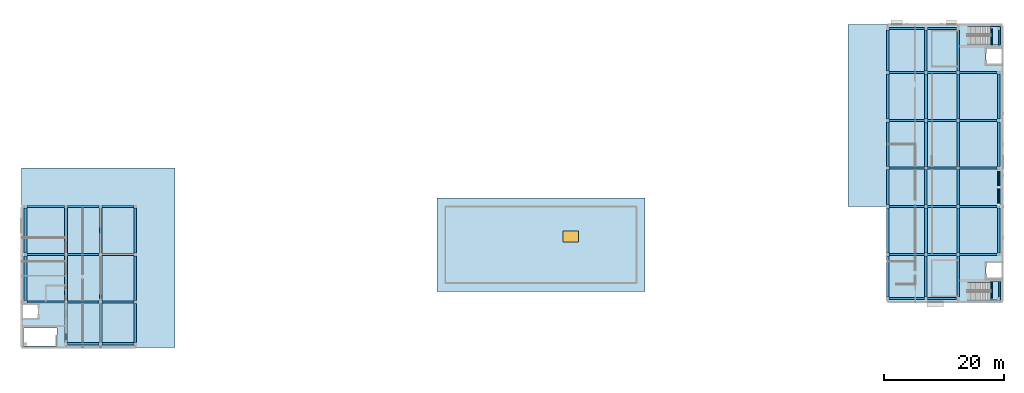
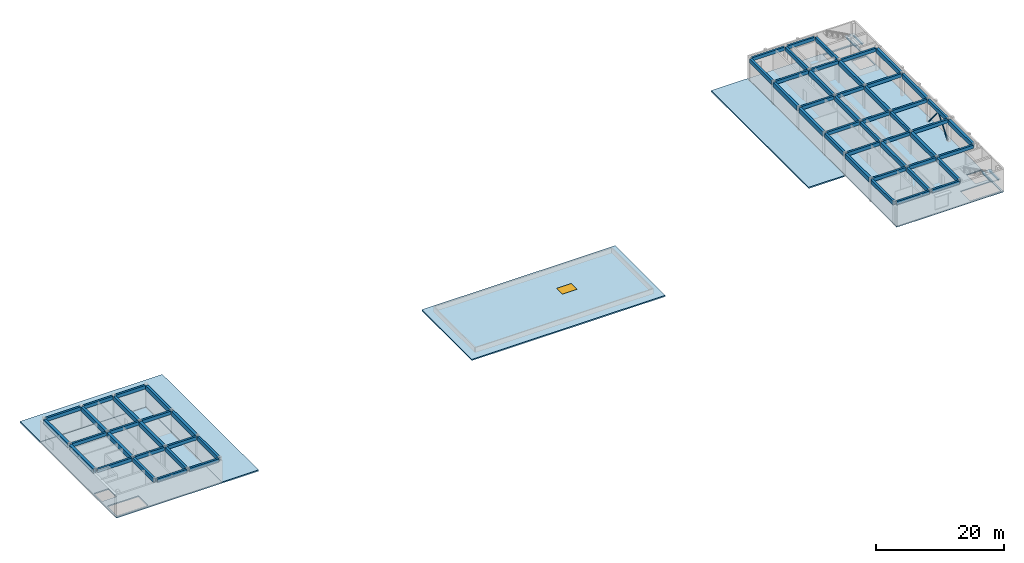
# One storey, part 3 of 11: 67 beams, 7 slabs, 2 members, 1 window, 1 opening, 2 elements without a shape of their own.
"""IFC4 building model written with IfcOpenShell, lengths in metres."""

from ifc_helpers import new_model, si_unit, direction, frame, origin, origin_2d, place, context, subcontext, project, spatial, polyline, rectangle, hollow_circle, i_section, outline, extrude, material, layer, layer_set, material_profile, profile_set, type_object, element, fill, aggregate, save


model = new_model("IFC4")

# Units and contexts
model_context = context("Model", 3, precision=1e-05, world=origin(), true_north=direction((0.0, 1.0)))
body_context = subcontext(model_context, "Body", "Model", "MODEL_VIEW")
ifc_project = project(units=[si_unit("LENGTHUNIT", "METRE"), si_unit("AREAUNIT", "SQUARE_METRE"), si_unit("VOLUMEUNIT", "CUBIC_METRE"), si_unit("PLANEANGLEUNIT", "RADIAN"), si_unit("MASSUNIT", "GRAM", prefix="KILO")], contexts=[model_context])

# Site, building, storey
site_placement = place(None, origin())
site = spatial("IfcSite", under=ifc_project, at=site_placement, CompositionType="ELEMENT")
building_placement = place(site_placement, origin())
building = spatial("IfcBuilding", under=site, at=building_placement, Name="Cinchona Park Media Centre", CompositionType="ELEMENT")
storey_placement = place(building_placement, frame((0.0, 0.0, 24.89990234375)))
storey = spatial("IfcBuildingStorey", under=building, at=storey_placement, Name="L05", CompositionType="ELEMENT", Elevation=24.89990234375)

# Beams
ifc_material_1 = material(Name="Concrete C35/45", Category="concrete")
ifc_material_profile_1 = material_profile(ifc_material_1, rectangle(XDim=0.39990234375, YDim=0.75, at=origin_2d()), Name="RB 400X750")
ifc_profile_set_1 = profile_set([ifc_material_profile_1], Name="Concrete C35/45")
beam_type_1 = type_object("IfcBeamType", Name="BEAM-B01-RB400X750", PredefinedType="BEAM", material=ifc_profile_set_1)
for number, where, z_axis, x_axis, name in (
    (1, (15.39990234375, 64.889892578125, 3.880126953125), (0.0, 1.0, 0.0), (-1.0, 0.0, 0.0), "Girder B01 L05"),
    (2, (21.199951171875, 64.889892578125, 3.880126953125), (0.0, 1.0, 0.0), (-1.0, 0.0, 0.0), "Girder B01 L05"),
    (3, (27.0, 64.889892578125, 3.880126953125), (0.0, 1.0, 0.0), (-1.0, 0.0, 0.0), "Girder B01 L05"),
):
    element("IfcBeam", number, at=place(storey_placement, frame(where, z_axis=z_axis, x_axis=x_axis)), inside=storey, type_object=beam_type_1, Name=name, PredefinedType="BEAM", context=body_context, shape_type="SweptSolid", body=[
        extrude(rectangle(XDim=0.39990234375, YDim=0.75, at=origin_2d()), origin(), (0.0, 0.0, 1.0), 6.460205078125),
    ])
beam_1_placement = place(storey_placement, frame((152.800048828125, 72.489990234375, 3.925048828125), z_axis=(0.0, 1.0, 0.0), x_axis=(-1.0, 0.0, 0.0)))
element("IfcBeam", 4, at=beam_1_placement, inside=storey, type_object=beam_type_1, Name="Girder B01 L05", PredefinedType="BEAM", context=body_context, shape_type="SweptSolid", body=[
    extrude(rectangle(XDim=0.39990234375, YDim=0.75, at=origin_2d()), origin(), (0.0, 0.0, 1.0), 6.860107421875),
])
beam_2_placement = place(storey_placement, frame((152.800048828125, 87.85009765625, 3.925048828125), z_axis=(0.0, 1.0, 0.0), x_axis=(-1.0, 0.0, 0.0)))
element("IfcBeam", 5, at=beam_2_placement, inside=storey, type_object=beam_type_1, Name="Girder B01 L05", PredefinedType="BEAM", context=body_context, shape_type="SweptSolid", body=[
    extrude(rectangle(XDim=0.39990234375, YDim=0.75, at=origin_2d()), origin(), (0.0, 0.0, 1.0), 5.89990234375),
])
for number, where, z_axis, x_axis, name in (
    (6, (152.800048828125, 110.25, 3.925048828125), (0.0, 1.0, 0.0), (-1.0, 0.0, 0.0), "Girder B01 L05"),
    (7, (159.199951171875, 72.489990234375, 3.925048828125), (0.0, 1.0, 0.0), (-1.0, 0.0, 0.0), "Girder B01 L05"),
):
    element("IfcBeam", number, at=place(storey_placement, frame(where, z_axis=z_axis, x_axis=x_axis)), inside=storey, type_object=beam_type_1, Name=name, PredefinedType="BEAM", context=body_context, shape_type="SweptSolid", body=[
        extrude(rectangle(XDim=0.39990234375, YDim=0.75, at=origin_2d()), origin(), (0.0, 0.0, 1.0), 6.860107421875),
    ])
beam_3_placement = place(storey_placement, frame((159.199951171875, 87.85009765625, 3.925048828125), z_axis=(0.0, 1.0, 0.0), x_axis=(-1.0, 0.0, 0.0)))
element("IfcBeam", 8, at=beam_3_placement, inside=storey, type_object=beam_type_1, Name="Girder B01 L05", PredefinedType="BEAM", context=body_context, shape_type="SweptSolid", body=[
    extrude(rectangle(XDim=0.39990234375, YDim=0.75, at=origin_2d()), origin(), (0.0, 0.0, 1.0), 5.89990234375),
])
for number, where, z_axis, x_axis, name in (
    (9, (159.199951171875, 110.25, 3.925048828125), (0.0, 1.0, 0.0), (-1.0, 0.0, 0.0), "Girder B01 L05"),
    (10, (164.60009765625, 72.489990234375, 3.925048828125), (0.0, 1.0, 0.0), (-1.0, 0.0, 0.0), "Girder B01 L05"),
):
    element("IfcBeam", number, at=place(storey_placement, frame(where, z_axis=z_axis, x_axis=x_axis)), inside=storey, type_object=beam_type_1, Name=name, PredefinedType="BEAM", context=body_context, shape_type="SweptSolid", body=[
        extrude(rectangle(XDim=0.39990234375, YDim=0.75, at=origin_2d()), origin(), (0.0, 0.0, 1.0), 6.860107421875),
    ])
beam_4_placement = place(storey_placement, frame((164.60009765625, 87.85009765625, 3.925048828125), z_axis=(0.0, 1.0, 0.0), x_axis=(-1.0, 0.0, 0.0)))
element("IfcBeam", 11, at=beam_4_placement, inside=storey, type_object=beam_type_1, Name="Girder B01 L05", PredefinedType="BEAM", context=body_context, shape_type="SweptSolid", body=[
    extrude(rectangle(XDim=0.39990234375, YDim=0.75, at=origin_2d()), origin(), (0.0, 0.0, 1.0), 5.89990234375),
])
beam_5_placement = place(storey_placement, frame((164.60009765625, 110.25, 3.925048828125), z_axis=(0.0, 1.0, 0.0), x_axis=(-1.0, 0.0, 0.0)))
element("IfcBeam", 12, at=beam_5_placement, inside=storey, type_object=beam_type_1, Name="Girder B01 L05", PredefinedType="BEAM", context=body_context, shape_type="SweptSolid", body=[
    extrude(rectangle(XDim=0.39990234375, YDim=0.75, at=origin_2d()), origin(), (0.0, 0.0, 1.0), 6.860107421875),
])
beam_6_placement = place(storey_placement, frame((171.360107421875, 87.85009765625, 3.925048828125), z_axis=(0.0, 1.0, 0.0), x_axis=(-1.0, 0.0, 0.0)))
element("IfcBeam", 13, at=beam_6_placement, inside=storey, type_object=beam_type_1, Name="Girder B01 L05", PredefinedType="BEAM", context=body_context, shape_type="SweptSolid", body=[
    extrude(rectangle(XDim=0.39990234375, YDim=0.75, at=origin_2d()), origin(), (0.0, 0.0, 1.0), 5.89990234375),
])
ifc_material_2 = material(Name="Concrete C35/45", Category="concrete")
ifc_material_profile_2 = material_profile(ifc_material_2, rectangle(XDim=0.449951171875, YDim=0.85009765625, at=origin_2d()), Name="RB 450X850")
ifc_profile_set_2 = profile_set([ifc_material_profile_2], Name="Concrete C35/45")
beam_type_2 = type_object("IfcBeamType", Name="BEAM-B02-RB450X850", PredefinedType="BEAM", material=ifc_profile_set_2)
for number, where, z_axis, x_axis, name in (
    (14, (8.639892578125, 71.85009765625, 3.830078125), (0.0, 1.0, 0.0), (-1.0, 0.0, 0.0), "Girder B02 L05"),
    (15, (8.639892578125, 79.85009765625, 3.830078125), (0.0, 1.0, 0.0), (-1.0, 0.0, 0.0), "Girder B02 L05"),
    (16, (15.39990234375, 71.85009765625, 3.830078125), (0.0, 1.0, 0.0), (-1.0, 0.0, 0.0), "Girder B02 L05"),
    (17, (15.39990234375, 79.85009765625, 3.830078125), (0.0, 1.0, 0.0), (-1.0, 0.0, 0.0), "Girder B02 L05"),
    (18, (21.199951171875, 71.85009765625, 3.830078125), (0.0, 1.0, 0.0), (-1.0, 0.0, 0.0), "Girder B02 L05"),
    (19, (21.199951171875, 79.85009765625, 3.830078125), (0.0, 1.0, 0.0), (-1.0, 0.0, 0.0), "Girder B02 L05"),
    (20, (27.0, 71.85009765625, 3.830078125), (0.0, 1.0, 0.0), (-1.0, 0.0, 0.0), "Girder B02 L05"),
    (21, (27.0, 79.85009765625, 3.830078125), (0.0, 1.0, 0.0), (-1.0, 0.0, 0.0), "Girder B02 L05"),
    (22, (152.800048828125, 79.85009765625, 3.875), (0.0, 1.0, 0.0), (-1.0, 0.0, 0.0), "Girder B02 L05"),
    (23, (152.800048828125, 94.25, 3.875), (0.0, 1.0, 0.0), (-1.0, 0.0, 0.0), "Girder B02 L05"),
    (24, (152.800048828125, 102.25, 3.875), (0.0, 1.0, 0.0), (-1.0, 0.0, 0.0), "Girder B02 L05"),
    (25, (159.199951171875, 79.85009765625, 3.875), (0.0, 1.0, 0.0), (-1.0, 0.0, 0.0), "Girder B02 L05"),
    (26, (159.199951171875, 94.25, 3.875), (0.0, 1.0, 0.0), (-1.0, 0.0, 0.0), "Girder B02 L05"),
    (27, (159.199951171875, 102.25, 3.875), (0.0, 1.0, 0.0), (-1.0, 0.0, 0.0), "Girder B02 L05"),
    (28, (164.60009765625, 79.85009765625, 3.875), (0.0, 1.0, 0.0), (-1.0, 0.0, 0.0), "Girder B02 L05"),
    (29, (164.60009765625, 94.25, 3.875), (0.0, 1.0, 0.0), (-1.0, 0.0, 0.0), "Girder B02 L05"),
    (30, (164.60009765625, 102.25, 3.875), (0.0, 1.0, 0.0), (-1.0, 0.0, 0.0), "Girder B02 L05"),
    (31, (171.360107421875, 79.85009765625, 3.875), (0.0, 1.0, 0.0), (-1.0, 0.0, 0.0), "Girder B02 L05"),
    (32, (171.360107421875, 94.25, 3.875), (0.0, 1.0, 0.0), (-1.0, 0.0, 0.0), "Girder B02 L05"),
    (33, (171.360107421875, 102.25, 3.875), (0.0, 1.0, 0.0), (-1.0, 0.0, 0.0), "Girder B02 L05"),
):
    element("IfcBeam", number, at=place(storey_placement, frame(where, z_axis=z_axis, x_axis=x_axis)), inside=storey, type_object=beam_type_2, Name=name, PredefinedType="BEAM", context=body_context, shape_type="SweptSolid", body=[
        extrude(rectangle(XDim=0.449951171875, YDim=0.85009765625, at=origin_2d()), origin(), (0.0, 0.0, 1.0), 7.5),
    ])
ifc_material_3 = material(Name="Concrete C35/45", Category="concrete")
ifc_material_profile_3 = material_profile(ifc_material_3, rectangle(XDim=0.35009765625, YDim=0.64990234375, at=origin_2d()), Name="RB 350X650")
ifc_profile_set_3 = profile_set([ifc_material_profile_3], Name="Concrete C35/45")
beam_type_3 = type_object("IfcBeamType", Name="BEAM-B04-RB350X650", PredefinedType="BEAM", material=ifc_profile_set_3)
for number, where, z_axis, x_axis, name in (
    (34, (15.64990234375, 64.639892578125, 3.93017578125), (1.0, 0.0, 0.0), (0.0, 1.0, 0.0), "Beam B04 L05"),
    (35, (21.449951171875, 64.639892578125, 3.93017578125), (1.0, 0.0, 0.0), (0.0, 1.0, 0.0), "Beam B04 L05"),
):
    element("IfcBeam", number, at=place(storey_placement, frame(where, z_axis=z_axis, x_axis=x_axis)), inside=storey, type_object=beam_type_3, Name=name, PredefinedType="BEAM", context=body_context, shape_type="SweptSolid", body=[
        extrude(rectangle(XDim=0.35009765625, YDim=0.64990234375, at=origin_2d()), origin(), (0.0, 0.0, 1.0), 5.300048828125),
    ])
beam_7_placement = place(storey_placement, frame((8.889892578125, 71.60009765625, 3.93017578125), z_axis=(1.0, 0.0, 0.0), x_axis=(0.0, 1.0, 0.0)))
element("IfcBeam", 36, at=beam_7_placement, inside=storey, type_object=beam_type_3, Name="Beam B04 L05", PredefinedType="BEAM", context=body_context, shape_type="SweptSolid", body=[
    extrude(rectangle(XDim=0.35009765625, YDim=0.64990234375, at=origin_2d()), origin(), (0.0, 0.0, 1.0), 6.260009765625),
])
for number, where, z_axis, x_axis, name in (
    (37, (15.64990234375, 71.60009765625, 3.93017578125), (1.0, 0.0, 0.0), (0.0, 1.0, 0.0), "Beam B04 L05"),
    (38, (21.449951171875, 71.60009765625, 3.93017578125), (1.0, 0.0, 0.0), (0.0, 1.0, 0.0), "Beam B04 L05"),
):
    element("IfcBeam", number, at=place(storey_placement, frame(where, z_axis=z_axis, x_axis=x_axis)), inside=storey, type_object=beam_type_3, Name=name, PredefinedType="BEAM", context=body_context, shape_type="SweptSolid", body=[
        extrude(rectangle(XDim=0.35009765625, YDim=0.64990234375, at=origin_2d()), origin(), (0.0, 0.0, 1.0), 5.300048828125),
    ])
beam_8_placement = place(storey_placement, frame((8.889892578125, 79.60009765625, 3.93017578125), z_axis=(1.0, 0.0, 0.0), x_axis=(0.0, 1.0, 0.0)))
element("IfcBeam", 39, at=beam_8_placement, inside=storey, type_object=beam_type_3, Name="Beam B04 L05", PredefinedType="BEAM", context=body_context, shape_type="SweptSolid", body=[
    extrude(rectangle(XDim=0.35009765625, YDim=0.64990234375, at=origin_2d()), origin(), (0.0, 0.0, 1.0), 6.260009765625),
])
for number, where, z_axis, x_axis, name in (
    (40, (15.64990234375, 79.60009765625, 3.93017578125), (1.0, 0.0, 0.0), (0.0, 1.0, 0.0), "Beam B04 L05"),
    (41, (21.449951171875, 79.60009765625, 3.93017578125), (1.0, 0.0, 0.0), (0.0, 1.0, 0.0), "Beam B04 L05"),
):
    element("IfcBeam", number, at=place(storey_placement, frame(where, z_axis=z_axis, x_axis=x_axis)), inside=storey, type_object=beam_type_3, Name=name, PredefinedType="BEAM", context=body_context, shape_type="SweptSolid", body=[
        extrude(rectangle(XDim=0.35009765625, YDim=0.64990234375, at=origin_2d()), origin(), (0.0, 0.0, 1.0), 5.300048828125),
    ])
beam_9_placement = place(storey_placement, frame((8.889892578125, 87.60009765625, 3.93017578125), z_axis=(1.0, 0.0, 0.0), x_axis=(0.0, 1.0, 0.0)))
element("IfcBeam", 42, at=beam_9_placement, inside=storey, type_object=beam_type_3, Name="Beam B04 L05", PredefinedType="BEAM", context=body_context, shape_type="SweptSolid", body=[
    extrude(rectangle(XDim=0.35009765625, YDim=0.64990234375, at=origin_2d()), origin(), (0.0, 0.0, 1.0), 6.260009765625),
])
for number, where, z_axis, x_axis, name in (
    (43, (15.64990234375, 87.60009765625, 3.93017578125), (1.0, 0.0, 0.0), (0.0, 1.0, 0.0), "Beam B04 L05"),
    (44, (21.449951171875, 87.60009765625, 3.93017578125), (1.0, 0.0, 0.0), (0.0, 1.0, 0.0), "Beam B04 L05"),
):
    element("IfcBeam", number, at=place(storey_placement, frame(where, z_axis=z_axis, x_axis=x_axis)), inside=storey, type_object=beam_type_3, Name=name, PredefinedType="BEAM", context=body_context, shape_type="SweptSolid", body=[
        extrude(rectangle(XDim=0.35009765625, YDim=0.64990234375, at=origin_2d()), origin(), (0.0, 0.0, 1.0), 5.300048828125),
    ])
beam_10_placement = place(storey_placement, frame((153.050048828125, 72.239990234375, 3.97509765625), z_axis=(1.0, 0.0, 0.0), x_axis=(0.0, 1.0, 0.0)))
element("IfcBeam", 45, at=beam_10_placement, inside=storey, type_object=beam_type_3, Name="Beam B04 L05", PredefinedType="BEAM", context=body_context, shape_type="SweptSolid", body=[
    extrude(rectangle(XDim=0.35009765625, YDim=0.64990234375, at=origin_2d()), origin(), (0.0, 0.0, 1.0), 5.89990234375),
])
beam_11_placement = place(storey_placement, frame((159.449951171875, 72.239990234375, 3.97509765625), z_axis=(1.0, 0.0, 0.0), x_axis=(0.0, 1.0, 0.0)))
element("IfcBeam", 46, at=beam_11_placement, inside=storey, type_object=beam_type_3, Name="Beam B04 L05", PredefinedType="BEAM", context=body_context, shape_type="SweptSolid", body=[
    extrude(rectangle(XDim=0.35009765625, YDim=0.64990234375, at=origin_2d()), origin(), (0.0, 0.0, 1.0), 4.900146484375),
])
beam_12_placement = place(storey_placement, frame((153.050048828125, 79.60009765625, 3.97509765625), z_axis=(1.0, 0.0, 0.0), x_axis=(0.0, 1.0, 0.0)))
element("IfcBeam", 47, at=beam_12_placement, inside=storey, type_object=beam_type_3, Name="Beam B04 L05", PredefinedType="BEAM", context=body_context, shape_type="SweptSolid", body=[
    extrude(rectangle(XDim=0.35009765625, YDim=0.64990234375, at=origin_2d()), origin(), (0.0, 0.0, 1.0), 5.89990234375),
])
beam_13_placement = place(storey_placement, frame((159.449951171875, 79.60009765625, 3.97509765625), z_axis=(1.0, 0.0, 0.0), x_axis=(0.0, 1.0, 0.0)))
element("IfcBeam", 48, at=beam_13_placement, inside=storey, type_object=beam_type_3, Name="Beam B04 L05", PredefinedType="BEAM", context=body_context, shape_type="SweptSolid", body=[
    extrude(rectangle(XDim=0.35009765625, YDim=0.64990234375, at=origin_2d()), origin(), (0.0, 0.0, 1.0), 4.900146484375),
])
beam_14_placement = place(storey_placement, frame((164.85009765625, 79.60009765625, 3.97509765625), z_axis=(1.0, 0.0, 0.0), x_axis=(0.0, 1.0, 0.0)))
element("IfcBeam", 49, at=beam_14_placement, inside=storey, type_object=beam_type_3, Name="Beam B04 L05", PredefinedType="BEAM", context=body_context, shape_type="SweptSolid", body=[
    extrude(rectangle(XDim=0.35009765625, YDim=0.64990234375, at=origin_2d()), origin(), (0.0, 0.0, 1.0), 6.260009765625),
])
beam_15_placement = place(storey_placement, frame((153.050048828125, 87.60009765625, 3.97509765625), z_axis=(1.0, 0.0, 0.0), x_axis=(0.0, 1.0, 0.0)))
element("IfcBeam", 50, at=beam_15_placement, inside=storey, type_object=beam_type_3, Name="Beam B04 L05", PredefinedType="BEAM", context=body_context, shape_type="SweptSolid", body=[
    extrude(rectangle(XDim=0.35009765625, YDim=0.64990234375, at=origin_2d()), origin(), (0.0, 0.0, 1.0), 5.89990234375),
])
beam_16_placement = place(storey_placement, frame((159.449951171875, 87.60009765625, 3.97509765625), z_axis=(1.0, 0.0, 0.0), x_axis=(0.0, 1.0, 0.0)))
element("IfcBeam", 51, at=beam_16_placement, inside=storey, type_object=beam_type_3, Name="Beam B04 L05", PredefinedType="BEAM", context=body_context, shape_type="SweptSolid", body=[
    extrude(rectangle(XDim=0.35009765625, YDim=0.64990234375, at=origin_2d()), origin(), (0.0, 0.0, 1.0), 4.900146484375),
])
beam_17_placement = place(storey_placement, frame((164.85009765625, 87.60009765625, 3.97509765625), z_axis=(1.0, 0.0, 0.0), x_axis=(0.0, 1.0, 0.0)))
element("IfcBeam", 52, at=beam_17_placement, inside=storey, type_object=beam_type_3, Name="Beam B04 L05", PredefinedType="BEAM", context=body_context, shape_type="SweptSolid", body=[
    extrude(rectangle(XDim=0.35009765625, YDim=0.64990234375, at=origin_2d()), origin(), (0.0, 0.0, 1.0), 6.260009765625),
])
beam_18_placement = place(storey_placement, frame((153.050048828125, 94.0, 3.97509765625), z_axis=(1.0, 0.0, 0.0), x_axis=(0.0, 1.0, 0.0)))
element("IfcBeam", 53, at=beam_18_placement, inside=storey, type_object=beam_type_3, Name="Beam B04 L05", PredefinedType="BEAM", context=body_context, shape_type="SweptSolid", body=[
    extrude(rectangle(XDim=0.35009765625, YDim=0.64990234375, at=origin_2d()), origin(), (0.0, 0.0, 1.0), 5.89990234375),
])
beam_19_placement = place(storey_placement, frame((159.449951171875, 94.0, 3.97509765625), z_axis=(1.0, 0.0, 0.0), x_axis=(0.0, 1.0, 0.0)))
element("IfcBeam", 54, at=beam_19_placement, inside=storey, type_object=beam_type_3, Name="Beam B04 L05", PredefinedType="BEAM", context=body_context, shape_type="SweptSolid", body=[
    extrude(rectangle(XDim=0.35009765625, YDim=0.64990234375, at=origin_2d()), origin(), (0.0, 0.0, 1.0), 4.900146484375),
])
beam_20_placement = place(storey_placement, frame((164.85009765625, 94.0, 3.97509765625), z_axis=(1.0, 0.0, 0.0), x_axis=(0.0, 1.0, 0.0)))
element("IfcBeam", 55, at=beam_20_placement, inside=storey, type_object=beam_type_3, Name="Beam B04 L05", PredefinedType="BEAM", context=body_context, shape_type="SweptSolid", body=[
    extrude(rectangle(XDim=0.35009765625, YDim=0.64990234375, at=origin_2d()), origin(), (0.0, 0.0, 1.0), 6.260009765625),
])
beam_21_placement = place(storey_placement, frame((153.050048828125, 102.0, 3.97509765625), z_axis=(1.0, 0.0, 0.0), x_axis=(0.0, 1.0, 0.0)))
element("IfcBeam", 56, at=beam_21_placement, inside=storey, type_object=beam_type_3, Name="Beam B04 L05", PredefinedType="BEAM", context=body_context, shape_type="SweptSolid", body=[
    extrude(rectangle(XDim=0.35009765625, YDim=0.64990234375, at=origin_2d()), origin(), (0.0, 0.0, 1.0), 5.89990234375),
])
beam_22_placement = place(storey_placement, frame((159.449951171875, 102.0, 3.97509765625), z_axis=(1.0, 0.0, 0.0), x_axis=(0.0, 1.0, 0.0)))
element("IfcBeam", 57, at=beam_22_placement, inside=storey, type_object=beam_type_3, Name="Beam B04 L05", PredefinedType="BEAM", context=body_context, shape_type="SweptSolid", body=[
    extrude(rectangle(XDim=0.35009765625, YDim=0.64990234375, at=origin_2d()), origin(), (0.0, 0.0, 1.0), 4.900146484375),
])
beam_23_placement = place(storey_placement, frame((164.85009765625, 102.0, 3.97509765625), z_axis=(1.0, 0.0, 0.0), x_axis=(0.0, 1.0, 0.0)))
element("IfcBeam", 58, at=beam_23_placement, inside=storey, type_object=beam_type_3, Name="Beam B04 L05", PredefinedType="BEAM", context=body_context, shape_type="SweptSolid", body=[
    extrude(rectangle(XDim=0.35009765625, YDim=0.64990234375, at=origin_2d()), origin(), (0.0, 0.0, 1.0), 6.260009765625),
])
beam_24_placement = place(storey_placement, frame((153.050048828125, 110.0, 3.97509765625), z_axis=(1.0, 0.0, 0.0), x_axis=(0.0, 1.0, 0.0)))
element("IfcBeam", 59, at=beam_24_placement, inside=storey, type_object=beam_type_3, Name="Beam B04 L05", PredefinedType="BEAM", context=body_context, shape_type="SweptSolid", body=[
    extrude(rectangle(XDim=0.35009765625, YDim=0.64990234375, at=origin_2d()), origin(), (0.0, 0.0, 1.0), 5.89990234375),
])
beam_25_placement = place(storey_placement, frame((159.449951171875, 110.0, 3.97509765625), z_axis=(1.0, 0.0, 0.0), x_axis=(0.0, 1.0, 0.0)))
element("IfcBeam", 60, at=beam_25_placement, inside=storey, type_object=beam_type_3, Name="Beam B04 L05", PredefinedType="BEAM", context=body_context, shape_type="SweptSolid", body=[
    extrude(rectangle(XDim=0.35009765625, YDim=0.64990234375, at=origin_2d()), origin(), (0.0, 0.0, 1.0), 4.900146484375),
])
beam_26_placement = place(storey_placement, frame((164.85009765625, 110.0, 3.97509765625), z_axis=(1.0, 0.0, 0.0), x_axis=(0.0, 1.0, 0.0)))
element("IfcBeam", 61, at=beam_26_placement, inside=storey, type_object=beam_type_3, Name="Beam B04 L05", PredefinedType="BEAM", context=body_context, shape_type="SweptSolid", body=[
    extrude(rectangle(XDim=0.35009765625, YDim=0.64990234375, at=origin_2d()), origin(), (0.0, 0.0, 1.0), 6.260009765625),
])
beam_27_placement = place(storey_placement, frame((153.050048828125, 117.360107421875, 3.97509765625), z_axis=(1.0, 0.0, 0.0), x_axis=(0.0, 1.0, 0.0)))
element("IfcBeam", 62, at=beam_27_placement, inside=storey, type_object=beam_type_3, Name="Beam B04 L05", PredefinedType="BEAM", context=body_context, shape_type="SweptSolid", body=[
    extrude(rectangle(XDim=0.35009765625, YDim=0.64990234375, at=origin_2d()), origin(), (0.0, 0.0, 1.0), 5.89990234375),
])
beam_28_placement = place(storey_placement, frame((159.449951171875, 117.360107421875, 3.97509765625), z_axis=(1.0, 0.0, 0.0), x_axis=(0.0, 1.0, 0.0)))
element("IfcBeam", 63, at=beam_28_placement, inside=storey, type_object=beam_type_3, Name="Beam B04 L05", PredefinedType="BEAM", context=body_context, shape_type="SweptSolid", body=[
    extrude(rectangle(XDim=0.35009765625, YDim=0.64990234375, at=origin_2d()), origin(), (0.0, 0.0, 1.0), 4.900146484375),
])
ifc_material_4 = material(Name="Steel S355", Category="steel")
ifc_material_profile_4 = material_profile(ifc_material_4, i_section(OverallWidth=0.202880859375, OverallDepth=0.202880859375, WebThickness=0.007080078125, FlangeThickness=0.010986328125, at=origin_2d()), Name="W200X46")
ifc_profile_set_4 = profile_set([ifc_material_profile_4], Name="Steel S355")
beam_type_4 = type_object("IfcBeamType", Name="BEAM-B10-W200X46", PredefinedType="BEAM", material=ifc_profile_set_4)
for number, where, z_axis, x_axis, name in (
    (64, (170.239990234375, 75.044921875, 1.95361328125), (0.0, -1.0, 0.0), (1.0, 0.0, 0.0), "Stair Landing Bearer Beam B10 ST1 L05"),
    (65, (171.4599609375, 75.044921875, 1.95361328125), (0.0, -1.0, 0.0), (1.0, 0.0, 0.0), "Stair Landing Bearer Beam B10 ST1 L05"),
    (66, (170.239990234375, 114.554931640625, 1.95361328125), (0.0, 1.0, 0.0), (-1.0, 0.0, 0.0), "Stair Landing Bearer Beam B10 ST2 L05"),
    (67, (171.4599609375, 114.554931640625, 1.95361328125), (0.0, 1.0, 0.0), (-1.0, 0.0, 0.0), "Stair Landing Bearer Beam B10 ST2 L05"),
):
    element("IfcBeam", number, at=place(storey_placement, frame(where, z_axis=z_axis, x_axis=x_axis)), inside=storey, type_object=beam_type_4, Name=name, PredefinedType="BEAM", context=body_context, shape_type="SweptSolid", body=[
        extrude(i_section(OverallWidth=0.202880859375, OverallDepth=0.202880859375, WebThickness=0.007080078125, FlangeThickness=0.010986328125, at=origin_2d()), origin(), (0.0, 0.0, 1.0), 2.844970703125),
    ])

# Members
ifc_material_5 = material(Name="Steel S355", Category="steel")
ifc_material_profile_5 = material_profile(ifc_material_5, hollow_circle(Radius=0.109619140625, WallThickness=0.012451171875, at=origin_2d()), Name="219.1X12.5CHS")
ifc_profile_set_5 = profile_set([ifc_material_profile_5], Name="Steel S355")
member_type = type_object("IfcMemberType", Name="MEMBER-BR02-CHS219.1X12.5", PredefinedType="BRACE", material=ifc_profile_set_5)
for number, where, z_axis, x_axis, name in (
    (68, (171.360107421875, 87.85498046875, 0.005126953125), (0.0, 0.633718276726, 0.773563924794), (-1.0, 0.0, 0.0), "Vertical Chevron Brace BR02 L05"),
    (69, (171.360107421875, 93.7451171875, 0.005126953125), (0.0, -0.633718276726, 0.773563924794), (1.0, 0.0, 0.0), "Vertical Chevron Brace BR02 L05"),
):
    element("IfcMember", number, at=place(storey_placement, frame(where, z_axis=z_axis, x_axis=x_axis)), inside=storey, type_object=member_type, Name=name, PredefinedType="BRACE", context=body_context, shape_type="SweptSolid", body=[
        extrude(hollow_circle(Radius=0.109619140625, WallThickness=0.012451171875, at=origin_2d()), origin(), (0.0, 0.0, 1.0), 4.647216796875),
    ])

# Stair, slab
ifc_material_6 = material(Name="Concrete C35/45", Category="concrete")
stair_type_1 = type_object("IfcStairType", Name="STAIR-ST1-HT45", PredefinedType="HALF_TURN_STAIR", material=ifc_material_6)
stair_1_placement = place(storey_placement, origin())
stair_1 = element("IfcStair", 70, at=stair_1_placement, inside=storey, type_object=stair_type_1, Name="Exit Stair ST1 L05", PredefinedType="HALF_TURN_STAIR")
ifc_material_7 = material(Name="Concrete C35/45", Category="concrete")
ifc_layer_1 = layer(ifc_material_7, 0.195068359375)
ifc_layer_set_1 = layer_set([ifc_layer_1], Name="Concrete C35/45")
slab_type_1 = type_object("IfcSlabType", Name="LANDING-LDG02", PredefinedType="LANDING", material=ifc_layer_set_1)
slab_1_placement = place(storey_placement, frame((0.0, 0.0, 2.05517578125)))
slab_1 = element("IfcSlab", 71, at=slab_1_placement, type_object=slab_type_1, Name="ST1 landing 1", PredefinedType="LANDING", context=body_context, shape_type="SweptSolid", body=[
    extrude(outline(polyline([(170.02001953125, 71.919921875), (171.679931640625, 71.919921875), (171.679931640625, 75.02001953125), (170.02001953125, 75.02001953125), (170.02001953125, 71.919921875)])), origin(), (0.0, 0.0, 1.0), 0.19482421875),
])
aggregate(stair_1, [slab_1])

ifc_material_8 = material(Name="Concrete C35/45", Category="concrete")
stair_type_2 = type_object("IfcStairType", Name="STAIR-ST2-HT45", PredefinedType="HALF_TURN_STAIR", material=ifc_material_8)
stair_2_placement = place(storey_placement, origin())
stair_2 = element("IfcStair", 72, at=stair_2_placement, inside=storey, type_object=stair_type_2, Name="Exit Stair ST2 L05", PredefinedType="HALF_TURN_STAIR")
slab_2_placement = place(storey_placement, frame((0.0, 0.0, 2.05517578125)))
slab_2 = element("IfcSlab", 73, at=slab_2_placement, type_object=slab_type_1, Name="ST2 landing 1", PredefinedType="LANDING", context=body_context, shape_type="SweptSolid", body=[
    extrude(outline(polyline([(170.02001953125, 114.580078125), (171.679931640625, 114.580078125), (171.679931640625, 117.679931640625), (170.02001953125, 117.679931640625), (170.02001953125, 114.580078125)])), origin(), (0.0, 0.0, 1.0), 0.19482421875),
])
aggregate(stair_2, [slab_2])

# Slab, opening, window
ifc_material_9 = material(Name="Concrete C35/45", Category="concrete")
ifc_layer_2 = layer(ifc_material_9, 0.2451171875)
ifc_layer_set_2 = layer_set([ifc_layer_2], Name="Concrete C35/45")
slab_type_2 = type_object("IfcSlabType", Name="SLAB-RS01-245", PredefinedType="ROOF", material=ifc_layer_set_2)
slab_3_placement = place(storey_placement, frame((0.0, 0.0, -0.244873046875)))
slab_3 = element("IfcSlab", 74, at=slab_3_placement, inside=storey, type_object=slab_type_2, Name="Roof Slab RF-V5-PAV", PredefinedType="ROOF", context=body_context, shape_type="SweptSolid", body=[
    extrude(outline(polyline([(77.39990234375, 73.39990234375), (112.199951171875, 73.39990234375), (112.199951171875, 89.0), (77.39990234375, 89.0), (77.39990234375, 73.39990234375)])), origin(), (0.0, 0.0, 1.0), 0.244873046875),
])
opening_placement = place(slab_3_placement, frame((99.800048828125, 82.60009765625, 0.0)))
opening = element("IfcOpeningElement", 75, at=opening_placement, cuts=slab_3, Name="Opening SK07", PredefinedType="OPENING", context=body_context, shape_type="SweptSolid", body=[
    extrude(rectangle(XDim=2.60009765625, YDim=1.800048828125, at=origin_2d()), origin(), (0.0, 0.0, 1.0), 0.244873046875),
])
ifc_material_10 = material(Name="Hurricane-Laminated Acoustic Roof Skylight", Category="glass")
window_type = type_object("IfcWindowType", Name="SKY-SK07", PartitioningType="SINGLE_PANEL", PredefinedType="SKYLIGHT", material=ifc_material_10)
window_placement = place(opening_placement, frame((0.0, 0.0, 0.19482421875)))
window = element("IfcWindow", 76, at=window_placement, inside=storey, type_object=window_type, Name="Roof Skylight SK07", OverallHeight=1.800048828125, OverallWidth=2.60009765625, PartitioningType="SINGLE_PANEL", PredefinedType="SKYLIGHT", context=body_context, shape_type="SweptSolid", body=[
    extrude(rectangle(XDim=2.60009765625, YDim=1.800048828125, at=origin_2d()), origin(), (0.0, 0.0, 1.0), 0.050048828125),
])
fill(opening, window)

# Slabs
ifc_material_11 = material(Name="Concrete C35/45", Category="concrete")
ifc_layer_3 = layer(ifc_material_11, 0.235107421875)
ifc_layer_set_3 = layer_set([ifc_layer_3], Name="Concrete C35/45")
slab_type_3 = type_object("IfcSlabType", Name="SLAB-RS02-235", PredefinedType="ROOF", material=ifc_layer_set_3)
slab_4_placement = place(storey_placement, frame((0.0, 0.0, -0.23486328125)))
element("IfcSlab", 77, at=slab_4_placement, inside=storey, type_object=slab_type_3, Name="Roof Slab RF-V4-STEP2", PredefinedType="ROOF", context=body_context, shape_type="SweptSolid", body=[
    extrude(outline(polyline([(27.02001953125, 64.0), (33.60009765625, 64.0), (33.60009765625, 94.0), (8.0, 94.0), (8.0, 87.6201171875), (27.02001953125, 87.6201171875), (27.02001953125, 64.0)])), origin(), (0.0, 0.0, 1.0), 0.23486328125),
])
slab_5_placement = place(storey_placement, frame((0.0, 0.0, -0.23486328125)))
element("IfcSlab", 78, at=slab_5_placement, inside=storey, type_object=slab_type_3, Name="Roof Slab RF-V7-STEP2", PredefinedType="ROOF", context=body_context, shape_type="SweptSolid", body=[
    extrude(outline(polyline([(146.199951171875, 87.6201171875), (152.780029296875, 87.6201171875), (152.780029296875, 118.0), (146.199951171875, 118.0), (146.199951171875, 87.6201171875)])), origin(), (0.0, 0.0, 1.0), 0.23486328125),
])
ifc_material_12 = material(Name="Concrete C35/45", Category="concrete")
ifc_layer_4 = layer(ifc_material_12, 0.219970703125)
ifc_layer_set_4 = layer_set([ifc_layer_4], Name="Concrete C35/45")
slab_type_4 = type_object("IfcSlabType", Name="SLAB-SL08-220", PredefinedType="FLOOR", material=ifc_layer_set_4)
slab_6_placement = place(storey_placement, frame((0.0, 0.0, -0.219970703125)))
element("IfcSlab", 79, at=slab_6_placement, inside=storey, type_object=slab_type_4, Name="Floor Slab V4 L05", PredefinedType="FLOOR", context=body_context, shape_type="SweptSolid", body=[
    extrude(outline(polyline([(8.0, 64.0), (27.0, 64.0), (27.0, 87.60009765625), (8.0, 87.60009765625), (8.0, 64.0)]), holes=[polyline([(8.300048828125, 64.300048828125), (13.864990234375, 64.300048828125), (13.864990234375, 67.300048828125), (8.300048828125, 67.300048828125), (8.300048828125, 64.300048828125)]), polyline([(8.199951171875, 68.800048828125), (10.800048828125, 68.800048828125), (10.800048828125, 71.300048828125), (8.199951171875, 71.300048828125), (8.199951171875, 68.800048828125)])]), origin(), (0.0, 0.0, 1.0), 0.219970703125),
])
ifc_material_13 = material(Name="Concrete C35/45", Category="concrete")
ifc_layer_5 = layer(ifc_material_13, 0.199951171875)
ifc_layer_set_5 = layer_set([ifc_layer_5], Name="Concrete C35/45")
slab_type_5 = type_object("IfcSlabType", Name="SLAB-SL09-200", PredefinedType="FLOOR", material=ifc_layer_set_5)
slab_7_placement = place(storey_placement, frame((0.0, 0.0, -0.199951171875)))
element("IfcSlab", 80, at=slab_7_placement, inside=storey, type_object=slab_type_5, Name="Floor Slab V7 L05", PredefinedType="FLOOR", context=body_context, shape_type="SweptSolid", body=[
    extrude(outline(polyline([(152.800048828125, 71.60009765625), (172.0, 71.60009765625), (172.0, 118.0), (152.800048828125, 118.0), (152.800048828125, 71.60009765625)]), holes=[polyline([(166.135009765625, 71.89990234375), (171.699951171875, 71.89990234375), (171.699951171875, 74.89990234375), (166.135009765625, 74.89990234375), (166.135009765625, 71.89990234375)]), polyline([(169.199951171875, 75.5), (171.800048828125, 75.5), (171.800048828125, 78.300048828125), (169.199951171875, 78.300048828125), (169.199951171875, 75.5)]), polyline([(166.135009765625, 114.699951171875), (171.699951171875, 114.699951171875), (171.699951171875, 117.699951171875), (166.135009765625, 117.699951171875), (166.135009765625, 114.699951171875)]), polyline([(169.199951171875, 111.300048828125), (171.800048828125, 111.300048828125), (171.800048828125, 114.10009765625), (169.199951171875, 114.10009765625), (169.199951171875, 111.300048828125)])]), origin(), (0.0, 0.0, 1.0), 0.199951171875),
])

save(model, "model.ifc")
